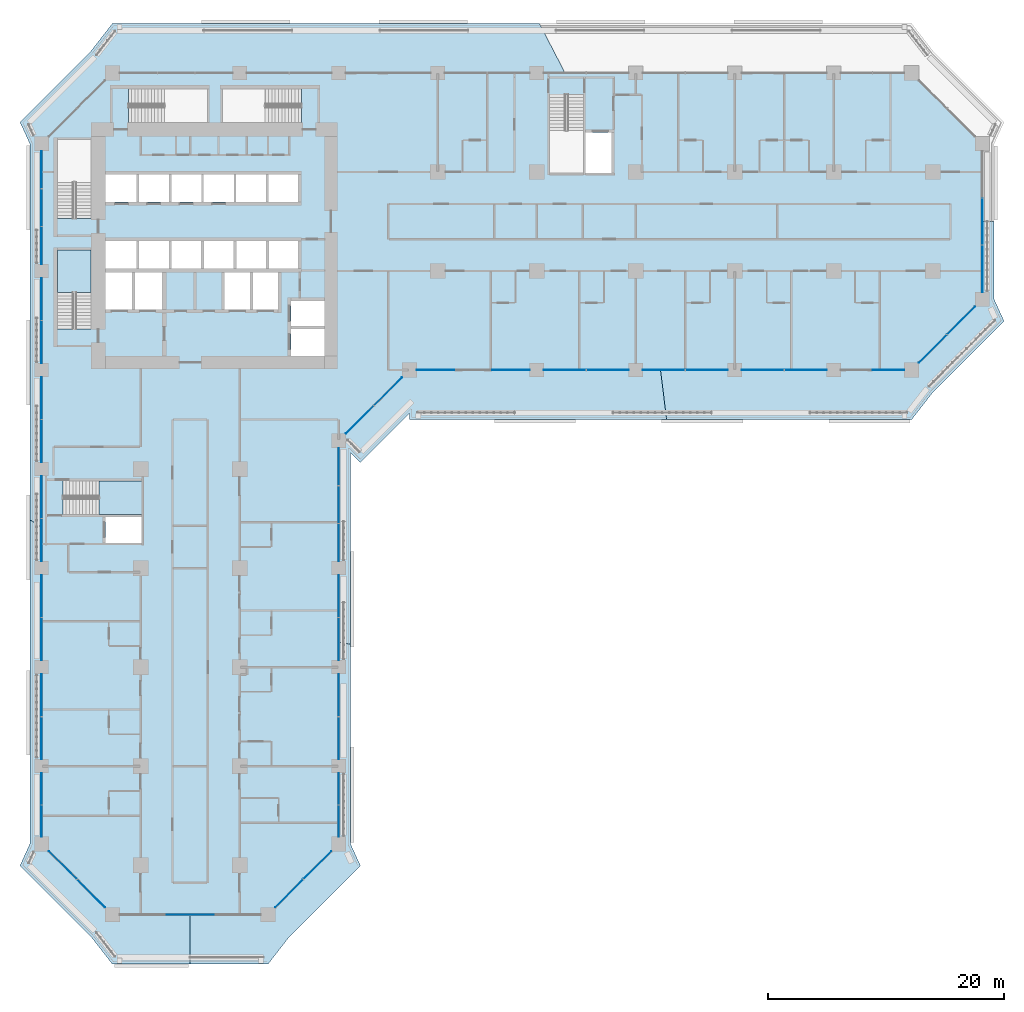
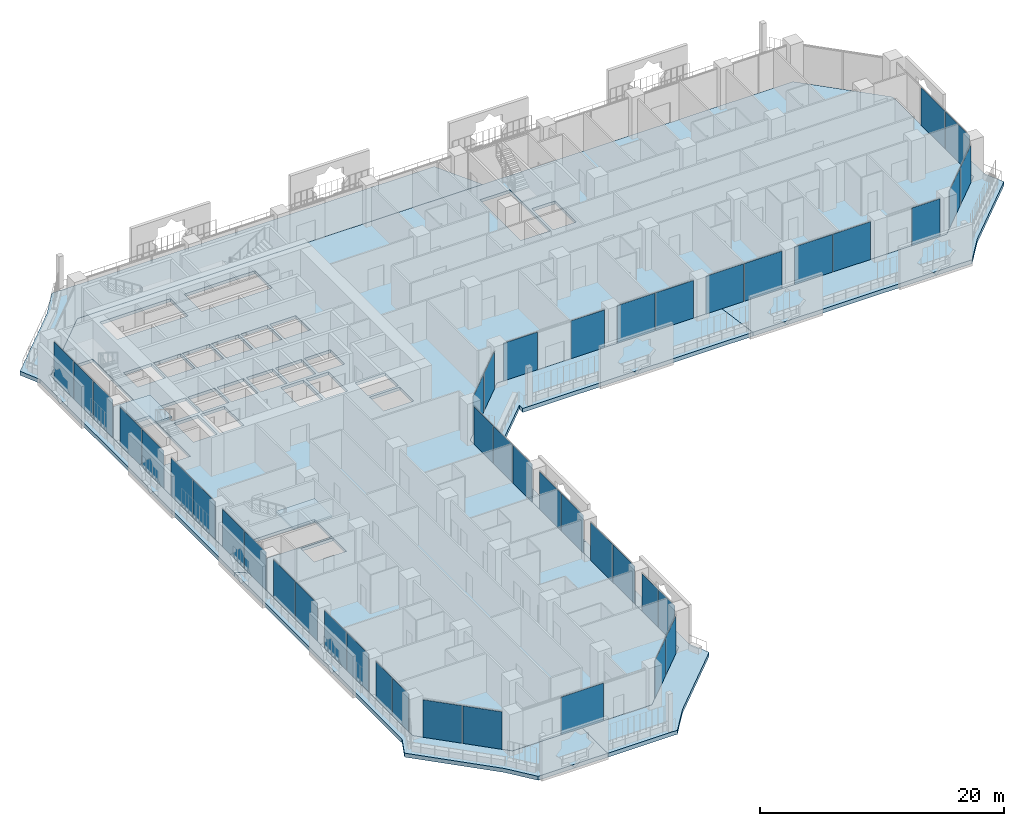
# One storey, part 11 of 28: 44 plates, 8 slabs, 11 elements without a shape of their own.
"""IFC4 building model written with IfcOpenShell, lengths in metres."""

import ifcopenshell
import ifcopenshell.guid

model = None  # the IFC model being written
_history = None  # IfcOwnerHistory: only IFC2X3 demands one
_inside = {}  # id of a spatial element -> (the spatial element, [elements in it])
_under = {}  # id of a project, library or spatial element -> (it, [spatial elements below it])
_declared = {}  # id of a project -> (the project, [libraries it declares])
_typed = {}  # id of a type object -> (the type object, [elements of that type])
_made_of = {}  # id of a material, layer set ... -> (it, [elements and type objects made of it])


def new_model(schema):
    """Start an empty IFC model of exactly this schema.

    Asked for "IFC4X3", IfcOpenShell would pick the latest addendum, in which some entities
    have other attributes; the version numbers below select the first issue.
    IFC2X3 requires an IfcOwnerHistory on every rooted entity: one is made here for all.
    """
    global model, _history
    if schema == "IFC4X3":
        model = ifcopenshell.file(schema_version=(4, 3, 0, 0))
    else:
        model = ifcopenshell.file(schema=schema)
    _inside.clear()
    _under.clear()
    _declared.clear()
    _typed.clear()
    _made_of.clear()
    _history = None
    if model.schema == "IFC2X3":
        org = make("IfcOrganization", Name="unknown")
        user = make(
            "IfcPersonAndOrganization",
            ThePerson=make("IfcPerson", FamilyName="unknown"),
            TheOrganization=org,
        )
        app = make(
            "IfcApplication",
            ApplicationDeveloper=org,
            Version="unknown",
            ApplicationFullName="unknown",
            ApplicationIdentifier="unknown",
        )
        _history = make(
            "IfcOwnerHistory",
            OwningUser=user,
            OwningApplication=app,
            ChangeAction="ADDED",
            CreationDate=0,
        )
    return model


def make(cls, **values):
    """One entity of the class cls with the attributes given. An attribute that is None is left unset."""
    return model.create_entity(
        cls, **{name: value for name, value in values.items() if value is not None}
    )


def rooted(cls, **values):
    """An entity with a GlobalId (a new one), such as an element, a storey or a relation."""
    return make(cls, GlobalId=ifcopenshell.guid.new(), OwnerHistory=_history, **values)


def si_unit(unit_type, name, prefix=None):
    """IfcSIUnit, for example si_unit("LENGTHUNIT", "METRE", prefix="MILLI")."""
    return make("IfcSIUnit", UnitType=unit_type, Prefix=prefix, Name=name)


def assignment(units):
    """IfcUnitAssignment: the units of a project."""
    return None if units is None else make("IfcUnitAssignment", Units=units)


def point(xyz):
    """IfcCartesianPoint."""
    return None if xyz is None else make("IfcCartesianPoint", Coordinates=xyz)


def direction(xyz):
    """IfcDirection."""
    return None if xyz is None else make("IfcDirection", DirectionRatios=xyz)


def frame(location, z_axis=None, x_axis=None):
    """IfcAxis2Placement3D, a coordinate frame: its origin and axes. An axis left out is left unset."""
    return make(
        "IfcAxis2Placement3D",
        Location=point(location),
        Axis=direction(z_axis),
        RefDirection=direction(x_axis),
    )


def frame_2d(location, x_axis=None):
    """IfcAxis2Placement2D, a coordinate frame in the plane: its origin and x axis."""
    return make(
        "IfcAxis2Placement2D", Location=point(location), RefDirection=direction(x_axis)
    )


def origin():
    """The frame at (0, 0, 0) with its axes left unset."""
    return frame((0.0, 0.0, 0.0))


def origin_2d():
    """The frame at (0, 0) in the plane with its x axis left unset."""
    return frame_2d((0.0, 0.0))


def place(relative_to, where):
    """IfcLocalPlacement: puts the frame where relative to a parent placement (None: the world)."""
    return make(
        "IfcLocalPlacement", PlacementRelTo=relative_to, RelativePlacement=where
    )


def context(
    kind, dimensions, precision=None, world=None, true_north=None, identifier=None
):
    """IfcGeometricRepresentationContext, for example the 3D "Model" context."""
    return make(
        "IfcGeometricRepresentationContext",
        ContextIdentifier=identifier,
        ContextType=kind,
        CoordinateSpaceDimension=dimensions,
        Precision=precision,
        WorldCoordinateSystem=world,
        TrueNorth=true_north,
    )


def subcontext(parent, identifier, kind, view, scale=None):
    """IfcGeometricRepresentationSubContext, for example "Body" below "Model"."""
    return make(
        "IfcGeometricRepresentationSubContext",
        ContextIdentifier=identifier,
        ContextType=kind,
        ParentContext=parent,
        TargetScale=scale,
        TargetView=view,
    )


def project(units=None, contexts=None):
    """IfcProject with its units and contexts."""
    return rooted(
        "IfcProject",
        Name="project",
        RepresentationContexts=contexts,
        UnitsInContext=assignment(units),
    )


def spatial(cls, under=None, at=None, **own):
    """A site, building, storey or space (cls), placed at a placement, below another one or the project."""
    s = rooted(cls, ObjectPlacement=at, **own)
    if under is not None:
        _under.setdefault(under.id(), (under, []))[1].append(s)
    return s


def polyline(points):
    """IfcPolyline through the points."""
    return make("IfcPolyline", Points=[point(p) for p in points])


def profile(cls, at=None, kind="AREA", **sizes):
    """A parametric profile (cls). Its sizes go by their IFC names, for example OverallWidth=200.0."""
    return make(cls, ProfileType=kind, Position=at, **sizes)


def rectangle(**sizes):
    """IfcRectangleProfileDef."""
    return profile("IfcRectangleProfileDef", **sizes)


def outline(outer, holes=None, kind="AREA"):
    """IfcArbitraryClosedProfileDef: a profile drawn as a closed curve; with holes, ...WithVoids."""
    if holes is None:
        return make("IfcArbitraryClosedProfileDef", ProfileType=kind, OuterCurve=outer)
    return make(
        "IfcArbitraryProfileDefWithVoids",
        ProfileType=kind,
        OuterCurve=outer,
        InnerCurves=holes,
    )


def extrude(swept, where, along, depth):
    """IfcExtrudedAreaSolid: the profile swept, set in the frame where, extruded along a direction by depth."""
    return make(
        "IfcExtrudedAreaSolid",
        SweptArea=swept,
        Position=where,
        ExtrudedDirection=direction(along),
        Depth=depth,
    )


def shape(context_of_items, identifier, shape_type, items):
    """IfcShapeRepresentation: the items that make up one representation, for example the "Body"."""
    return make(
        "IfcShapeRepresentation",
        ContextOfItems=context_of_items,
        RepresentationIdentifier=identifier,
        RepresentationType=shape_type,
        Items=items,
    )


def material(Name=None, Category=None):
    """IfcMaterial."""
    return make("IfcMaterial", Name=Name, Category=Category)


def layer(
    of_material, thickness, ventilated=None, Name=None, Category=None, Priority=None
):
    """IfcMaterialLayer: one layer of a wall or slab, of a material (None: an air gap)."""
    return make(
        "IfcMaterialLayer",
        Material=of_material,
        LayerThickness=thickness,
        IsVentilated=ventilated,
        Name=Name,
        Category=Category,
        Priority=Priority,
    )


def layer_set(layers, Name=None):
    """IfcMaterialLayerSet."""
    return make("IfcMaterialLayerSet", MaterialLayers=layers, LayerSetName=Name)


def made_of(thing, what):
    """Note that an element or type object is made of a material, layer set ...; save() writes the relation."""
    if what is not None:
        _made_of.setdefault(what.id(), (what, []))[1].append(thing)
    return thing


def type_object(cls, material=None, **own):
    """A type object (cls), such as IfcWallType, which elements share."""
    return made_of(rooted(cls, **own), material)


def element(
    cls,
    number,
    at=None,
    inside=None,
    cuts=None,
    type_object=None,
    material=None,
    context=None,
    identifier="Body",
    shape_type=None,
    held_by="IfcProductDefinitionShape",
    body=None,
    shapes=None,
    **own,
):
    """One element of the class cls, such as IfcWall. Its Tag is "e" and its number.

    at: its placement. inside: the storey or other place that contains it. cuts: it is an
    opening in that element (IfcRelVoidsElement). A single representation is given by context,
    identifier, shape_type and body (its items); several are given by shapes. held_by: the class
    of the entity that holds the representations. save() writes the other relations.
    """
    e = rooted(cls, Tag="e%d" % number, ObjectPlacement=at, **own)
    if body is not None:
        shapes = [shape(context, identifier, shape_type, body)]
    if shapes is not None:
        e.Representation = make(held_by, Representations=shapes)
    if inside is not None:
        _inside.setdefault(inside.id(), (inside, []))[1].append(e)
    if cuts is not None:
        rooted(
            "IfcRelVoidsElement", RelatingBuildingElement=cuts, RelatedOpeningElement=e
        )
    if type_object is not None:
        _typed.setdefault(type_object.id(), (type_object, []))[1].append(e)
    return made_of(e, material)


def aggregate(whole, parts):
    """IfcRelAggregates: a whole, such as a stair, and the parts it consists of."""
    return rooted("IfcRelAggregates", RelatingObject=whole, RelatedObjects=parts)


def save(model, path):
    """Write the relations noted so far, then the file.

    IfcRelAggregates (storeys below a building ...), IfcRelContainedInSpatialStructure (elements
    in a storey), IfcRelDefinesByType, IfcRelAssociatesMaterial and IfcRelDeclares: one each for
    every whole, place, type object, material and project.
    """
    for whole, parts in _under.values():
        aggregate(whole, parts)
    for where, things in _inside.values():
        rooted(
            "IfcRelContainedInSpatialStructure",
            RelatedElements=things,
            RelatingStructure=where,
        )
    for kind, things in _typed.values():
        rooted("IfcRelDefinesByType", RelatedObjects=things, RelatingType=kind)
    for what, things in _made_of.values():
        rooted("IfcRelAssociatesMaterial", RelatedObjects=things, RelatingMaterial=what)
    for by, libraries in _declared.values():
        rooted("IfcRelDeclares", RelatingContext=by, RelatedDefinitions=libraries)
    model.write(path)


model = new_model("IFC4")

# Units and contexts
model_context = context("Model", 3, precision=1e-05, world=origin(), true_north=direction((0.0, 1.0)))
body_context = subcontext(model_context, "Body", "Model", "MODEL_VIEW")
ifc_project = project(units=[si_unit("LENGTHUNIT", "METRE"), si_unit("AREAUNIT", "SQUARE_METRE"), si_unit("VOLUMEUNIT", "CUBIC_METRE"), si_unit("PLANEANGLEUNIT", "RADIAN"), si_unit("MASSUNIT", "GRAM", prefix="KILO")], contexts=[model_context])

# Site, building, storey
site_placement = place(None, origin())
site = spatial("IfcSite", under=ifc_project, at=site_placement, CompositionType="ELEMENT")
building_placement = place(site_placement, origin())
building = spatial("IfcBuilding", under=site, at=building_placement, Name="Kawkab Arch Medical Tower", CompositionType="ELEMENT")
storey_placement = place(building_placement, frame((0.0, 0.0, 68.60009765625)))
storey = spatial("IfcBuildingStorey", under=building, at=storey_placement, Name="L15", CompositionType="ELEMENT", Elevation=68.60009765625)

# Curtain wall, plates
ifc_material_1 = material(Name="Bronze anodised aluminium curtain wall frame", Category="aluminium")
ifc_layer_1 = layer(ifc_material_1, 0.159912109375)
ifc_layer_set_1 = layer_set([ifc_layer_1], Name="Bronze anodised aluminium curtain wall frame")
curtain_wall_type_1 = type_object("IfcCurtainWallType", Name="CW1 ward curtain wall", PredefinedType="NOTDEFINED", material=ifc_layer_set_1)
placement_1 = place(storey_placement, origin())
curtain_wall_1 = element("IfcCurtainWall", 1, at=placement_1, inside=storey, type_object=curtain_wall_type_1, Name="CW1 Ward curtain wall R01", PredefinedType="NOTDEFINED")
ifc_material_2 = material(Name="Tinted insulating glass, bronze low-e coating", Category="glass")
ifc_layer_2 = layer(ifc_material_2, 0.031982421875)
ifc_layer_set_2 = layer_set([ifc_layer_2], Name="Tinted insulating glass, bronze low-e coating")
plate_type_1 = type_object("IfcPlateType", Name="CW1 glazing unit 32", PredefinedType="CURTAIN_PANEL", material=ifc_layer_set_2)
plate_1_placement = place(storey_placement, frame((0.0, -8.205810546875, 0.0), z_axis=(0.0, 0.0, 1.0), x_axis=(0.0, -1.0, 0.0)))
plate_1 = element("IfcPlate", 2, at=plate_1_placement, type_object=plate_type_1, Name="CW1 glazing unit 1.1", PredefinedType="CURTAIN_PANEL", context=body_context, shape_type="SweptSolid", body=[
    extrude(rectangle(XDim=3.16162109375, YDim=0.031982421875, at=origin_2d()), origin(), (0.0, 0.0, 1.0), 3.780029296875),
])
plate_2_placement = place(storey_placement, frame((0.0, -11.41259765625, 0.0), z_axis=(0.0, 0.0, 1.0), x_axis=(0.0, -1.0, 0.0)))
plate_2 = element("IfcPlate", 3, at=plate_2_placement, type_object=plate_type_1, Name="CW1 glazing unit 1.2", PredefinedType="CURTAIN_PANEL", context=body_context, shape_type="SweptSolid", body=[
    extrude(rectangle(XDim=3.131591796875, YDim=0.031982421875, at=origin_2d()), origin(), (0.0, 0.0, 1.0), 3.780029296875),
])
plate_3_placement = place(storey_placement, frame((0.0, -14.619140625, 0.0), z_axis=(0.0, 0.0, 1.0), x_axis=(0.0, -1.0, 0.0)))
plate_3 = element("IfcPlate", 4, at=plate_3_placement, type_object=plate_type_1, Name="CW1 glazing unit 1.3", PredefinedType="CURTAIN_PANEL", context=body_context, shape_type="SweptSolid", body=[
    extrude(rectangle(XDim=3.16162109375, YDim=0.031982421875, at=origin_2d()), origin(), (0.0, 0.0, 1.0), 3.780029296875),
])
plate_4_placement = place(storey_placement, frame((0.0, -19.18505859375, 0.0), z_axis=(0.0, 0.0, 1.0), x_axis=(0.0, -1.0, 0.0)))
plate_4 = element("IfcPlate", 5, at=plate_4_placement, type_object=plate_type_1, Name="CW1 glazing unit 2.1", PredefinedType="CURTAIN_PANEL", context=body_context, shape_type="SweptSolid", body=[
    extrude(rectangle(XDim=3.570068359375, YDim=0.031982421875, at=origin_2d()), origin(), (0.0, 0.0, 1.0), 3.780029296875),
])
plate_5_placement = place(storey_placement, frame((0.0, -22.81494140625, 0.0), z_axis=(0.0, 0.0, 1.0), x_axis=(0.0, -1.0, 0.0)))
plate_5 = element("IfcPlate", 6, at=plate_5_placement, type_object=plate_type_1, Name="CW1 glazing unit 2.2", PredefinedType="CURTAIN_PANEL", context=body_context, shape_type="SweptSolid", body=[
    extrude(rectangle(XDim=3.570068359375, YDim=0.031982421875, at=origin_2d()), origin(), (0.0, 0.0, 1.0), 3.780029296875),
])
plate_6_placement = place(storey_placement, frame((0.0, -27.5849609375, 0.0), z_axis=(0.0, 0.0, 1.0), x_axis=(0.0, -1.0, 0.0)))
plate_6 = element("IfcPlate", 7, at=plate_6_placement, type_object=plate_type_1, Name="CW1 glazing unit 3.1", PredefinedType="CURTAIN_PANEL", context=body_context, shape_type="SweptSolid", body=[
    extrude(rectangle(XDim=3.570068359375, YDim=0.031982421875, at=origin_2d()), origin(), (0.0, 0.0, 1.0), 3.780029296875),
])
plate_7_placement = place(storey_placement, frame((0.0, -31.215087890625, 0.0), z_axis=(0.0, 0.0, 1.0), x_axis=(0.0, -1.0, 0.0)))
plate_7 = element("IfcPlate", 8, at=plate_7_placement, type_object=plate_type_1, Name="CW1 glazing unit 3.2", PredefinedType="CURTAIN_PANEL", context=body_context, shape_type="SweptSolid", body=[
    extrude(rectangle(XDim=3.570068359375, YDim=0.031982421875, at=origin_2d()), origin(), (0.0, 0.0, 1.0), 3.780029296875),
])
plate_8_placement = place(storey_placement, frame((0.0, -35.985107421875, 0.0), z_axis=(0.0, 0.0, 1.0), x_axis=(0.0, -1.0, 0.0)))
plate_8 = element("IfcPlate", 9, at=plate_8_placement, type_object=plate_type_1, Name="CW1 glazing unit 4.1", PredefinedType="CURTAIN_PANEL", context=body_context, shape_type="SweptSolid", body=[
    extrude(rectangle(XDim=3.570068359375, YDim=0.031982421875, at=origin_2d()), origin(), (0.0, 0.0, 1.0), 3.780029296875),
])
plate_9_placement = place(storey_placement, frame((0.0, -39.614990234375, 0.0), z_axis=(0.0, 0.0, 1.0), x_axis=(0.0, -1.0, 0.0)))
plate_9 = element("IfcPlate", 10, at=plate_9_placement, type_object=plate_type_1, Name="CW1 glazing unit 4.2", PredefinedType="CURTAIN_PANEL", context=body_context, shape_type="SweptSolid", body=[
    extrude(rectangle(XDim=3.570068359375, YDim=0.031982421875, at=origin_2d()), origin(), (0.0, 0.0, 1.0), 3.780029296875),
])
plate_10_placement = place(storey_placement, frame((0.0, -44.385009765625, 0.0), z_axis=(0.0, 0.0, 1.0), x_axis=(0.0, -1.0, 0.0)))
plate_10 = element("IfcPlate", 11, at=plate_10_placement, type_object=plate_type_1, Name="CW1 glazing unit 5.1", PredefinedType="CURTAIN_PANEL", context=body_context, shape_type="SweptSolid", body=[
    extrude(rectangle(XDim=3.570068359375, YDim=0.031982421875, at=origin_2d()), origin(), (0.0, 0.0, 1.0), 3.780029296875),
])
plate_11_placement = place(storey_placement, frame((0.0, -48.014892578125, 0.0), z_axis=(0.0, 0.0, 1.0), x_axis=(0.0, -1.0, 0.0)))
plate_11 = element("IfcPlate", 12, at=plate_11_placement, type_object=plate_type_1, Name="CW1 glazing unit 5.2", PredefinedType="CURTAIN_PANEL", context=body_context, shape_type="SweptSolid", body=[
    extrude(rectangle(XDim=3.570068359375, YDim=0.031982421875, at=origin_2d()), origin(), (0.0, 0.0, 1.0), 3.780029296875),
])
plate_12_placement = place(storey_placement, frame((0.0, -52.784912109375, 0.0), z_axis=(0.0, 0.0, 1.0), x_axis=(0.0, -1.0, 0.0)))
plate_12 = element("IfcPlate", 13, at=plate_12_placement, type_object=plate_type_1, Name="CW1 glazing unit 6.1", PredefinedType="CURTAIN_PANEL", context=body_context, shape_type="SweptSolid", body=[
    extrude(rectangle(XDim=3.570068359375, YDim=0.031982421875, at=origin_2d()), origin(), (0.0, 0.0, 1.0), 3.780029296875),
])
plate_13_placement = place(storey_placement, frame((0.0, -56.4150390625, 0.0), z_axis=(0.0, 0.0, 1.0), x_axis=(0.0, -1.0, 0.0)))
plate_13 = element("IfcPlate", 14, at=plate_13_placement, type_object=plate_type_1, Name="CW1 glazing unit 6.2", PredefinedType="CURTAIN_PANEL", context=body_context, shape_type="SweptSolid", body=[
    extrude(rectangle(XDim=3.570068359375, YDim=0.031982421875, at=origin_2d()), origin(), (0.0, 0.0, 1.0), 3.780029296875),
])
plate_14_placement = place(storey_placement, frame((0.0, -60.728759765625, 0.0), z_axis=(0.0, 0.0, 1.0), x_axis=(0.0, -1.0, 0.0)))
plate_14 = element("IfcPlate", 15, at=plate_14_placement, type_object=plate_type_1, Name="CW1 glazing unit 7.1", PredefinedType="CURTAIN_PANEL", context=body_context, shape_type="SweptSolid", body=[
    extrude(rectangle(XDim=2.657470703125, YDim=0.031982421875, at=origin_2d()), origin(), (0.0, 0.0, 1.0), 3.780029296875),
])
plate_15_placement = place(storey_placement, frame((0.0, -63.4462890625, 0.0), z_axis=(0.0, 0.0, 1.0), x_axis=(0.0, -1.0, 0.0)))
plate_15 = element("IfcPlate", 16, at=plate_15_placement, type_object=plate_type_1, Name="CW1 glazing unit 7.2", PredefinedType="CURTAIN_PANEL", context=body_context, shape_type="SweptSolid", body=[
    extrude(rectangle(XDim=2.657470703125, YDim=0.031982421875, at=origin_2d()), origin(), (0.0, 0.0, 1.0), 3.780029296875),
])
aggregate(curtain_wall_1, [plate_1, plate_2, plate_3, plate_4, plate_5, plate_6, plate_7, plate_8, plate_9, plate_10, plate_11, plate_12, plate_13, plate_14, plate_15])

# Curtain wall, plate
curtain_wall_2 = element("IfcCurtainWall", 17, at=placement_1, inside=storey, type_object=curtain_wall_type_1, Name="CW1 Ward curtain wall R03", PredefinedType="NOTDEFINED")
plate_16_placement = place(storey_placement, frame((12.60009765625, -71.39990234375, 0.0), z_axis=(0.0, 0.0, 1.0), x_axis=(1.0, 0.0, 0.0)))
plate_16 = element("IfcPlate", 18, at=plate_16_placement, type_object=plate_type_1, Name="CW1 glazing unit 1.2", PredefinedType="CURTAIN_PANEL", context=body_context, shape_type="SweptSolid", body=[
    extrude(rectangle(XDim=3.9833984375, YDim=0.031982421875, at=origin_2d()), origin(), (0.0, 0.0, 1.0), 3.780029296875),
])
aggregate(curtain_wall_2, [plate_16])

# Curtain wall, plates
curtain_wall_3 = element("IfcCurtainWall", 19, at=placement_1, inside=storey, type_object=curtain_wall_type_1, Name="CW1 Ward curtain wall R05", PredefinedType="NOTDEFINED")
plate_17_placement = place(storey_placement, frame((25.199951171875, -63.4462890625, 0.0), z_axis=(0.0, 0.0, 1.0), x_axis=(0.0, 1.0, 0.0)))
plate_17 = element("IfcPlate", 20, at=plate_17_placement, type_object=plate_type_1, Name="CW1 glazing unit 1.1", PredefinedType="CURTAIN_PANEL", context=body_context, shape_type="SweptSolid", body=[
    extrude(rectangle(XDim=2.657470703125, YDim=0.031982421875, at=origin_2d()), origin(), (0.0, 0.0, 1.0), 3.780029296875),
])
plate_18_placement = place(storey_placement, frame((25.199951171875, -60.728759765625, 0.0), z_axis=(0.0, 0.0, 1.0), x_axis=(0.0, 1.0, 0.0)))
plate_18 = element("IfcPlate", 21, at=plate_18_placement, type_object=plate_type_1, Name="CW1 glazing unit 1.2", PredefinedType="CURTAIN_PANEL", context=body_context, shape_type="SweptSolid", body=[
    extrude(rectangle(XDim=2.657470703125, YDim=0.031982421875, at=origin_2d()), origin(), (0.0, 0.0, 1.0), 3.780029296875),
])
plate_19_placement = place(storey_placement, frame((25.199951171875, -56.4150390625, 0.0), z_axis=(0.0, 0.0, 1.0), x_axis=(0.0, 1.0, 0.0)))
plate_19 = element("IfcPlate", 22, at=plate_19_placement, type_object=plate_type_1, Name="CW1 glazing unit 2.1", PredefinedType="CURTAIN_PANEL", context=body_context, shape_type="SweptSolid", body=[
    extrude(rectangle(XDim=3.570068359375, YDim=0.031982421875, at=origin_2d()), origin(), (0.0, 0.0, 1.0), 3.780029296875),
])
plate_20_placement = place(storey_placement, frame((25.199951171875, -52.784912109375, 0.0), z_axis=(0.0, 0.0, 1.0), x_axis=(0.0, 1.0, 0.0)))
plate_20 = element("IfcPlate", 23, at=plate_20_placement, type_object=plate_type_1, Name="CW1 glazing unit 2.2", PredefinedType="CURTAIN_PANEL", context=body_context, shape_type="SweptSolid", body=[
    extrude(rectangle(XDim=3.570068359375, YDim=0.031982421875, at=origin_2d()), origin(), (0.0, 0.0, 1.0), 3.780029296875),
])
plate_21_placement = place(storey_placement, frame((25.199951171875, -48.014892578125, 0.0), z_axis=(0.0, 0.0, 1.0), x_axis=(0.0, 1.0, 0.0)))
plate_21 = element("IfcPlate", 24, at=plate_21_placement, type_object=plate_type_1, Name="CW1 glazing unit 3.1", PredefinedType="CURTAIN_PANEL", context=body_context, shape_type="SweptSolid", body=[
    extrude(rectangle(XDim=3.570068359375, YDim=0.031982421875, at=origin_2d()), origin(), (0.0, 0.0, 1.0), 3.780029296875),
])
plate_22_placement = place(storey_placement, frame((25.199951171875, -44.385009765625, 0.0), z_axis=(0.0, 0.0, 1.0), x_axis=(0.0, 1.0, 0.0)))
plate_22 = element("IfcPlate", 25, at=plate_22_placement, type_object=plate_type_1, Name="CW1 glazing unit 3.2", PredefinedType="CURTAIN_PANEL", context=body_context, shape_type="SweptSolid", body=[
    extrude(rectangle(XDim=3.570068359375, YDim=0.031982421875, at=origin_2d()), origin(), (0.0, 0.0, 1.0), 3.780029296875),
])
plate_23_placement = place(storey_placement, frame((25.199951171875, -39.819091796875, 0.0), z_axis=(0.0, 0.0, 1.0), x_axis=(0.0, 1.0, 0.0)))
plate_23 = element("IfcPlate", 26, at=plate_23_placement, type_object=plate_type_1, Name="CW1 glazing unit 4.1", PredefinedType="CURTAIN_PANEL", context=body_context, shape_type="SweptSolid", body=[
    extrude(rectangle(XDim=3.16162109375, YDim=0.031982421875, at=origin_2d()), origin(), (0.0, 0.0, 1.0), 3.780029296875),
])
plate_24_placement = place(storey_placement, frame((25.199951171875, -36.612548828125, 0.0), z_axis=(0.0, 0.0, 1.0), x_axis=(0.0, 1.0, 0.0)))
plate_24 = element("IfcPlate", 27, at=plate_24_placement, type_object=plate_type_1, Name="CW1 glazing unit 4.2", PredefinedType="CURTAIN_PANEL", context=body_context, shape_type="SweptSolid", body=[
    extrude(rectangle(XDim=3.131591796875, YDim=0.031982421875, at=origin_2d()), origin(), (0.0, 0.0, 1.0), 3.780029296875),
])
plate_25_placement = place(storey_placement, frame((25.199951171875, -33.40576171875, 0.0), z_axis=(0.0, 0.0, 1.0), x_axis=(0.0, 1.0, 0.0)))
plate_25 = element("IfcPlate", 28, at=plate_25_placement, type_object=plate_type_1, Name="CW1 glazing unit 4.3", PredefinedType="CURTAIN_PANEL", context=body_context, shape_type="SweptSolid", body=[
    extrude(rectangle(XDim=3.16162109375, YDim=0.031982421875, at=origin_2d()), origin(), (0.0, 0.0, 1.0), 3.780029296875),
])
aggregate(curtain_wall_3, [plate_17, plate_18, plate_19, plate_20, plate_21, plate_22, plate_23, plate_24, plate_25])

curtain_wall_4 = element("IfcCurtainWall", 29, at=placement_1, inside=storey, type_object=curtain_wall_type_1, Name="CW1 Ward curtain wall R07", PredefinedType="NOTDEFINED")
plate_26_placement = place(storey_placement, frame((33.4208984375, -25.199951171875, 0.0), z_axis=(0.0, 0.0, 1.0), x_axis=(1.0, 0.0, 0.0)))
plate_26 = element("IfcPlate", 30, at=plate_26_placement, type_object=plate_type_1, Name="CW1 glazing unit 1.1", PredefinedType="CURTAIN_PANEL", context=body_context, shape_type="SweptSolid", body=[
    extrude(rectangle(XDim=3.191650390625, YDim=0.031982421875, at=origin_2d()), origin(), (0.0, 0.0, 1.0), 3.780029296875),
])
plate_27_placement = place(storey_placement, frame((39.80419921875, -25.199951171875, 0.0), z_axis=(0.0, 0.0, 1.0), x_axis=(1.0, 0.0, 0.0)))
plate_27 = element("IfcPlate", 31, at=plate_27_placement, type_object=plate_type_1, Name="CW1 glazing unit 1.3", PredefinedType="CURTAIN_PANEL", context=body_context, shape_type="SweptSolid", body=[
    extrude(rectangle(XDim=3.191650390625, YDim=0.031982421875, at=origin_2d()), origin(), (0.0, 0.0, 1.0), 3.780029296875),
])
plate_28_placement = place(storey_placement, frame((44.385009765625, -25.199951171875, 0.0), z_axis=(0.0, 0.0, 1.0), x_axis=(1.0, 0.0, 0.0)))
plate_28 = element("IfcPlate", 32, at=plate_28_placement, type_object=plate_type_1, Name="CW1 glazing unit 2.1", PredefinedType="CURTAIN_PANEL", context=body_context, shape_type="SweptSolid", body=[
    extrude(rectangle(XDim=3.570068359375, YDim=0.031982421875, at=origin_2d()), origin(), (0.0, 0.0, 1.0), 3.780029296875),
])
plate_29_placement = place(storey_placement, frame((48.014892578125, -25.199951171875, 0.0), z_axis=(0.0, 0.0, 1.0), x_axis=(1.0, 0.0, 0.0)))
plate_29 = element("IfcPlate", 33, at=plate_29_placement, type_object=plate_type_1, Name="CW1 glazing unit 2.2", PredefinedType="CURTAIN_PANEL", context=body_context, shape_type="SweptSolid", body=[
    extrude(rectangle(XDim=3.570068359375, YDim=0.031982421875, at=origin_2d()), origin(), (0.0, 0.0, 1.0), 3.780029296875),
])
plate_30_placement = place(storey_placement, frame((52.784912109375, -25.199951171875, 0.0), z_axis=(0.0, 0.0, 1.0), x_axis=(1.0, 0.0, 0.0)))
plate_30 = element("IfcPlate", 34, at=plate_30_placement, type_object=plate_type_1, Name="CW1 glazing unit 3.1", PredefinedType="CURTAIN_PANEL", context=body_context, shape_type="SweptSolid", body=[
    extrude(rectangle(XDim=3.570068359375, YDim=0.031982421875, at=origin_2d()), origin(), (0.0, 0.0, 1.0), 3.780029296875),
])
plate_31_placement = place(storey_placement, frame((56.4150390625, -25.199951171875, 0.0), z_axis=(0.0, 0.0, 1.0), x_axis=(1.0, 0.0, 0.0)))
plate_31 = element("IfcPlate", 35, at=plate_31_placement, type_object=plate_type_1, Name="CW1 glazing unit 3.2", PredefinedType="CURTAIN_PANEL", context=body_context, shape_type="SweptSolid", body=[
    extrude(rectangle(XDim=3.570068359375, YDim=0.031982421875, at=origin_2d()), origin(), (0.0, 0.0, 1.0), 3.780029296875),
])
plate_32_placement = place(storey_placement, frame((61.18505859375, -25.199951171875, 0.0), z_axis=(0.0, 0.0, 1.0), x_axis=(1.0, 0.0, 0.0)))
plate_32 = element("IfcPlate", 36, at=plate_32_placement, type_object=plate_type_1, Name="CW1 glazing unit 4.1", PredefinedType="CURTAIN_PANEL", context=body_context, shape_type="SweptSolid", body=[
    extrude(rectangle(XDim=3.570068359375, YDim=0.031982421875, at=origin_2d()), origin(), (0.0, 0.0, 1.0), 3.780029296875),
])
plate_33_placement = place(storey_placement, frame((64.81494140625, -25.199951171875, 0.0), z_axis=(0.0, 0.0, 1.0), x_axis=(1.0, 0.0, 0.0)))
plate_33 = element("IfcPlate", 37, at=plate_33_placement, type_object=plate_type_1, Name="CW1 glazing unit 4.2", PredefinedType="CURTAIN_PANEL", context=body_context, shape_type="SweptSolid", body=[
    extrude(rectangle(XDim=3.570068359375, YDim=0.031982421875, at=origin_2d()), origin(), (0.0, 0.0, 1.0), 3.780029296875),
])
plate_34_placement = place(storey_placement, frame((71.831298828125, -25.199951171875, 0.0), z_axis=(0.0, 0.0, 1.0), x_axis=(1.0, 0.0, 0.0)))
plate_34 = element("IfcPlate", 38, at=plate_34_placement, type_object=plate_type_1, Name="CW1 glazing unit 5.2", PredefinedType="CURTAIN_PANEL", context=body_context, shape_type="SweptSolid", body=[
    extrude(rectangle(XDim=2.6875, YDim=0.031982421875, at=origin_2d()), origin(), (0.0, 0.0, 1.0), 3.780029296875),
])
aggregate(curtain_wall_4, [plate_26, plate_27, plate_28, plate_29, plate_30, plate_31, plate_32, plate_33, plate_34])

curtain_wall_5 = element("IfcCurtainWall", 39, at=placement_1, inside=storey, type_object=curtain_wall_type_1, Name="CW1 Ward curtain wall R09", PredefinedType="NOTDEFINED")
plate_35_placement = place(storey_placement, frame((79.800048828125, -16.598388671875, 0.0), z_axis=(0.0, 0.0, 1.0), x_axis=(0.0, 1.0, 0.0)))
plate_35 = element("IfcPlate", 40, at=plate_35_placement, type_object=plate_type_1, Name="CW1 glazing unit 1.1", PredefinedType="CURTAIN_PANEL", context=body_context, shape_type="SweptSolid", body=[
    extrude(rectangle(XDim=3.953369140625, YDim=0.031982421875, at=origin_2d()), origin(), (0.0, 0.0, 1.0), 3.780029296875),
])
plate_36_placement = place(storey_placement, frame((79.800048828125, -12.60009765625, 0.0), z_axis=(0.0, 0.0, 1.0), x_axis=(0.0, 1.0, 0.0)))
plate_36 = element("IfcPlate", 41, at=plate_36_placement, type_object=plate_type_1, Name="CW1 glazing unit 1.2", PredefinedType="CURTAIN_PANEL", context=body_context, shape_type="SweptSolid", body=[
    extrude(rectangle(XDim=3.92333984375, YDim=0.031982421875, at=origin_2d()), origin(), (0.0, 0.0, 1.0), 3.780029296875),
])
aggregate(curtain_wall_5, [plate_35, plate_36])

ifc_material_3 = material(Name="Bronze anodised aluminium curtain wall frame", Category="aluminium")
ifc_layer_3 = layer(ifc_material_3, 0.159912109375)
ifc_layer_set_3 = layer_set([ifc_layer_3], Name="Bronze anodised aluminium curtain wall frame")
curtain_wall_type_2 = type_object("IfcCurtainWallType", Name="CW2 chamfer curtain wall", PredefinedType="NOTDEFINED", material=ifc_layer_set_3)
curtain_wall_6 = element("IfcCurtainWall", 42, at=placement_1, inside=storey, type_object=curtain_wall_type_2, Name="CW2 Chamfer curtain wall R02", PredefinedType="NOTDEFINED")
ifc_material_4 = material(Name="Tinted insulating glass, bronze low-e coating", Category="glass")
ifc_layer_4 = layer(ifc_material_4, 0.031982421875)
ifc_layer_set_4 = layer_set([ifc_layer_4], Name="Tinted insulating glass, bronze low-e coating")
plate_type_2 = type_object("IfcPlateType", Name="CW2 glazing unit 32", PredefinedType="CURTAIN_PANEL", material=ifc_layer_set_4)
plate_37_placement = place(storey_placement, frame((1.802001953125, -67.201904296875, 0.0), z_axis=(0.0, 0.0, 1.0), x_axis=(0.707106781187, -0.707106781187, 0.0)))
plate_37 = element("IfcPlate", 43, at=plate_37_placement, type_object=plate_type_2, Name="CW2 glazing unit 1.1", PredefinedType="CURTAIN_PANEL", context=body_context, shape_type="SweptSolid", body=[
    extrude(rectangle(XDim=3.328857421875, YDim=0.031982421875, at=origin_2d()), origin(), (0.0, 0.0, 1.0), 3.760009765625),
])
plate_38_placement = place(storey_placement, frame((4.197998046875, -69.59814453125, 0.0), z_axis=(0.0, 0.0, 1.0), x_axis=(0.707106781187, -0.707106781187, 0.0)))
plate_38 = element("IfcPlate", 44, at=plate_38_placement, type_object=plate_type_2, Name="CW2 glazing unit 1.2", PredefinedType="CURTAIN_PANEL", context=body_context, shape_type="SweptSolid", body=[
    extrude(rectangle(XDim=3.328857421875, YDim=0.031982421875, at=origin_2d()), origin(), (0.0, 0.0, 1.0), 3.760009765625),
])
aggregate(curtain_wall_6, [plate_37, plate_38])

curtain_wall_7 = element("IfcCurtainWall", 45, at=placement_1, inside=storey, type_object=curtain_wall_type_2, Name="CW2 Chamfer curtain wall R04", PredefinedType="NOTDEFINED")
plate_39_placement = place(storey_placement, frame((21.001953125, -69.59814453125, 0.0), z_axis=(0.0, 0.0, 1.0), x_axis=(0.707106781187, 0.707106781187, 0.0)))
plate_39 = element("IfcPlate", 46, at=plate_39_placement, type_object=plate_type_2, Name="CW2 glazing unit 1.1", PredefinedType="CURTAIN_PANEL", context=body_context, shape_type="SweptSolid", body=[
    extrude(rectangle(XDim=3.328857421875, YDim=0.031982421875, at=origin_2d()), origin(), (0.0, 0.0, 1.0), 3.760009765625),
])
plate_40_placement = place(storey_placement, frame((23.398193359375, -67.201904296875, 0.0), z_axis=(0.0, 0.0, 1.0), x_axis=(0.707106781187, 0.707106781187, 0.0)))
plate_40 = element("IfcPlate", 47, at=plate_40_placement, type_object=plate_type_2, Name="CW2 glazing unit 1.2", PredefinedType="CURTAIN_PANEL", context=body_context, shape_type="SweptSolid", body=[
    extrude(rectangle(XDim=3.328857421875, YDim=0.031982421875, at=origin_2d()), origin(), (0.0, 0.0, 1.0), 3.760009765625),
])
aggregate(curtain_wall_7, [plate_39, plate_40])

curtain_wall_8 = element("IfcCurtainWall", 48, at=placement_1, inside=storey, type_object=curtain_wall_type_2, Name="CW2 Chamfer curtain wall R06", PredefinedType="NOTDEFINED")
plate_41_placement = place(storey_placement, frame((27.001953125, -29.398193359375, 0.0), z_axis=(0.0, 0.0, 1.0), x_axis=(0.707106781187, 0.707106781187, 0.0)))
plate_41 = element("IfcPlate", 49, at=plate_41_placement, type_object=plate_type_2, Name="CW2 glazing unit 1.1", PredefinedType="CURTAIN_PANEL", context=body_context, shape_type="SweptSolid", body=[
    extrude(rectangle(XDim=3.328857421875, YDim=0.031982421875, at=origin_2d()), origin(), (0.0, 0.0, 1.0), 3.760009765625),
])
plate_42_placement = place(storey_placement, frame((29.398193359375, -27.001953125, 0.0), z_axis=(0.0, 0.0, 1.0), x_axis=(0.707106781187, 0.707106781187, 0.0)))
plate_42 = element("IfcPlate", 50, at=plate_42_placement, type_object=plate_type_2, Name="CW2 glazing unit 1.2", PredefinedType="CURTAIN_PANEL", context=body_context, shape_type="SweptSolid", body=[
    extrude(rectangle(XDim=3.328857421875, YDim=0.031982421875, at=origin_2d()), origin(), (0.0, 0.0, 1.0), 3.760009765625),
])
aggregate(curtain_wall_8, [plate_41, plate_42])

curtain_wall_9 = element("IfcCurtainWall", 51, at=placement_1, inside=storey, type_object=curtain_wall_type_2, Name="CW2 Chamfer curtain wall R08", PredefinedType="NOTDEFINED")
plate_43_placement = place(storey_placement, frame((75.601806640625, -23.398193359375, 0.0), z_axis=(0.0, 0.0, 1.0), x_axis=(0.707106781187, 0.707106781187, 0.0)))
plate_43 = element("IfcPlate", 52, at=plate_43_placement, type_object=plate_type_2, Name="CW2 glazing unit 1.1", PredefinedType="CURTAIN_PANEL", context=body_context, shape_type="SweptSolid", body=[
    extrude(rectangle(XDim=3.328857421875, YDim=0.031982421875, at=origin_2d()), origin(), (0.0, 0.0, 1.0), 3.760009765625),
])
plate_44_placement = place(storey_placement, frame((77.998046875, -21.001953125, 0.0), z_axis=(0.0, 0.0, 1.0), x_axis=(0.707106781187, 0.707106781187, 0.0)))
plate_44 = element("IfcPlate", 53, at=plate_44_placement, type_object=plate_type_2, Name="CW2 glazing unit 1.2", PredefinedType="CURTAIN_PANEL", context=body_context, shape_type="SweptSolid", body=[
    extrude(rectangle(XDim=3.328857421875, YDim=0.031982421875, at=origin_2d()), origin(), (0.0, 0.0, 1.0), 3.760009765625),
])
aggregate(curtain_wall_9, [plate_43, plate_44])

# Stair, slab
ifc_material_5 = material(Name="Concrete C40/50", Category="concrete")
stair_type = type_object("IfcStairType", Name="Exit stair 1350", PredefinedType="HALF_TURN_STAIR", material=ifc_material_5)
stair_1 = element("IfcStair", 54, at=placement_1, inside=storey, type_object=stair_type, Name="L15 Exit stair ST2", PredefinedType="HALF_TURN_STAIR")
ifc_material_6 = material(Name="Concrete C40/50", Category="concrete")
ifc_layer_5 = layer(ifc_material_6, 0.199951171875)
ifc_layer_set_5 = layer_set([ifc_layer_5], Name="Concrete C40/50")
slab_type_1 = type_object("IfcSlabType", Name="Exit stair landing 200", PredefinedType="LANDING", material=ifc_layer_set_5)
placement_2 = place(storey_placement, frame((0.0, 0.0, 1.89990234375)))
slab_1 = element("IfcSlab", 55, at=placement_2, type_object=slab_type_1, Name="ST2 landing 1", PredefinedType="LANDING", context=body_context, shape_type="SweptSolid", body=[
    extrude(outline(polyline([(4.199951171875, -18.6201171875), (4.199951171875, -15.0), (1.35009765625, -15.0), (1.35009765625, -18.6201171875), (4.199951171875, -18.6201171875)])), origin(), (0.0, 0.0, 1.0), 0.199951171875),
])
aggregate(stair_1, [slab_1])

stair_2 = element("IfcStair", 56, at=placement_1, inside=storey, type_object=stair_type, Name="L15 Exit stair ST6", PredefinedType="HALF_TURN_STAIR")
slab_2 = element("IfcSlab", 57, at=placement_2, type_object=slab_type_1, Name="ST6 landing 1", PredefinedType="LANDING", context=body_context, shape_type="SweptSolid", body=[
    extrude(outline(polyline([(4.8798828125, -37.449951171875), (8.5, -37.449951171875), (8.5, -34.60009765625), (4.8798828125, -34.60009765625), (4.8798828125, -37.449951171875)])), origin(), (0.0, 0.0, 1.0), 0.199951171875),
])
aggregate(stair_2, [slab_2])

# Slabs
ifc_material_7 = material(Name="Concrete C40/50", Category="concrete")
ifc_layer_6 = layer(ifc_material_7, 0.300048828125)
ifc_layer_set_6 = layer_set([ifc_layer_6], Name="Concrete C40/50")
slab_type_2 = type_object("IfcSlabType", Name="Flat plate 300 C40/50", PredefinedType="FLOOR", material=ifc_layer_set_6)
slab_3_placement = place(storey_placement, frame((0.0, 0.0, -0.300048828125)))
element("IfcSlab", 58, at=slab_3_placement, inside=storey, type_object=slab_type_2, Name="Floor slab L15", PredefinedType="FLOOR", context=body_context, shape_type="SweptSolid", body=[
    extrude(outline(polyline([(6.0, 0.0), (73.800048828125, 0.0), (79.800048828125, -6.0), (79.800048828125, -19.199951171875), (73.800048828125, -25.199951171875), (31.199951171875, -25.199951171875), (25.199951171875, -31.199951171875), (25.199951171875, -65.39990234375), (19.199951171875, -71.39990234375), (6.0, -71.39990234375), (0.0, -65.39990234375), (0.0, -6.0), (6.0, 0.0)]), holes=[polyline([(5.425048828125, -37.64990234375), (5.425048828125, -39.85009765625), (8.5, -39.85009765625), (8.5, -37.64990234375), (5.425048828125, -37.64990234375)]), polyline([(1.800048828125, -37.449951171875), (8.5, -37.449951171875), (8.5, -34.60009765625), (1.800048828125, -34.60009765625), (1.800048828125, -37.449951171875)]), polyline([(5.39990234375, -16.89990234375), (5.39990234375, -20.050048828125), (7.675048828125, -20.050048828125), (7.675048828125, -16.89990234375), (5.39990234375, -16.89990234375)]), polyline([(10.199951171875, -16.89990234375), (7.925048828125, -16.89990234375), (7.925048828125, -20.050048828125), (10.199951171875, -20.050048828125), (10.199951171875, -16.89990234375)]), polyline([(4.199951171875, -21.699951171875), (4.199951171875, -15.0), (1.35009765625, -15.0), (1.35009765625, -21.699951171875), (4.199951171875, -21.699951171875)]), polyline([(5.39990234375, -14.25), (5.39990234375, -16.60009765625), (8.050048828125, -16.60009765625), (8.050048828125, -14.25), (5.39990234375, -14.25)]), polyline([(8.25, -14.25), (8.25, -16.60009765625), (10.800048828125, -16.60009765625), (10.800048828125, -14.25), (8.25, -14.25)]), polyline([(13.52490234375, -16.60009765625), (13.52490234375, -14.25), (11.0, -14.25), (11.0, -16.60009765625), (13.52490234375, -16.60009765625)]), polyline([(5.39990234375, -8.60009765625), (5.39990234375, -10.949951171875), (8.050048828125, -10.949951171875), (8.050048828125, -8.60009765625), (5.39990234375, -8.60009765625)]), polyline([(8.25, -8.60009765625), (8.25, -10.949951171875), (10.800048828125, -10.949951171875), (10.800048828125, -8.60009765625), (8.25, -8.60009765625)]), polyline([(13.550048828125, -8.60009765625), (11.0, -8.60009765625), (11.0, -10.949951171875), (13.550048828125, -10.949951171875), (13.550048828125, -8.60009765625)]), polyline([(4.199951171875, -12.35009765625), (4.199951171875, -5.64990234375), (1.35009765625, -5.64990234375), (1.35009765625, -12.35009765625), (4.199951171875, -12.35009765625)]), polyline([(7.35009765625, -4.199951171875), (14.050048828125, -4.199951171875), (14.050048828125, -1.35009765625), (7.35009765625, -1.35009765625), (7.35009765625, -4.199951171875)]), polyline([(24.0, -21.72509765625), (21.14990234375, -21.72509765625), (21.14990234375, -24.0), (24.0, -24.0), (24.0, -21.72509765625)]), polyline([(24.0, -21.47509765625), (24.0, -19.35009765625), (21.14990234375, -19.35009765625), (21.14990234375, -21.47509765625), (24.0, -21.47509765625)]), polyline([(17.675048828125, -16.89990234375), (15.52490234375, -16.89990234375), (15.52490234375, -20.050048828125), (17.675048828125, -20.050048828125), (17.675048828125, -16.89990234375)]), polyline([(17.925048828125, -20.050048828125), (20.050048828125, -20.050048828125), (20.050048828125, -16.89990234375), (17.925048828125, -16.89990234375), (17.925048828125, -20.050048828125)]), polyline([(16.27490234375, -16.60009765625), (16.27490234375, -14.25), (13.77490234375, -14.25), (13.77490234375, -16.60009765625), (16.27490234375, -16.60009765625)]), polyline([(16.52490234375, -14.25), (16.52490234375, -16.60009765625), (19.02490234375, -16.60009765625), (19.02490234375, -14.25), (16.52490234375, -14.25)]), polyline([(19.27490234375, -14.25), (19.27490234375, -16.60009765625), (21.75, -16.60009765625), (21.75, -14.25), (19.27490234375, -14.25)]), polyline([(16.300048828125, -8.60009765625), (13.75, -8.60009765625), (13.75, -10.949951171875), (16.300048828125, -10.949951171875), (16.300048828125, -8.60009765625)]), polyline([(16.5, -10.949951171875), (19.050048828125, -10.949951171875), (19.050048828125, -8.60009765625), (16.5, -8.60009765625), (16.5, -10.949951171875)]), polyline([(19.25, -8.60009765625), (19.25, -10.949951171875), (21.75, -10.949951171875), (21.75, -8.60009765625), (19.25, -8.60009765625)]), polyline([(46.14990234375, -5.02490234375), (46.14990234375, -8.5), (48.35009765625, -8.5), (48.35009765625, -5.02490234375), (46.14990234375, -5.02490234375)]), polyline([(43.10009765625, -1.800048828125), (43.10009765625, -8.5), (45.949951171875, -8.5), (45.949951171875, -1.800048828125), (43.10009765625, -1.800048828125)]), polyline([(22.050048828125, -1.35009765625), (15.35009765625, -1.35009765625), (15.35009765625, -4.199951171875), (22.050048828125, -4.199951171875), (22.050048828125, -1.35009765625)])]), origin(), (0.0, 0.0, 1.0), 0.300048828125),
])
ifc_material_8 = material(Name="Concrete C40/50", Category="concrete")
ifc_layer_7 = layer(ifc_material_8, 0.39990234375)
ifc_layer_set_7 = layer_set([ifc_layer_7], Name="Concrete C40/50")
slab_type_3 = type_object("IfcSlabType", Name="Loggia slab 400", PredefinedType="FLOOR", material=ifc_layer_set_7)
placement_3 = place(storey_placement, frame((0.0, 0.0, -0.400146484375)))
element("IfcSlab", 59, at=placement_3, inside=storey, type_object=slab_type_3, Name="Loggia slab L15.1", PredefinedType="FLOOR", context=body_context, shape_type="SweptSolid", body=[
    extrude(outline(polyline([(12.60009765625, -75.60009765625), (12.60009765625, -71.40087890625), (19.199951171875, -71.40087890625), (19.199951171875, -71.39990234375), (25.199951171875, -65.39990234375), (25.199951171875, -48.300048828125), (26.199951171875, -48.449951171875), (26.199951171875, -65.39990234375), (27.0380859375, -67.238037109375), (21.0380859375, -73.238037109375), (19.199951171875, -75.60009765625), (12.60009765625, -75.60009765625)])), origin(), (0.0, 0.0, 1.0), 0.400146484375),
])
element("IfcSlab", 60, at=placement_3, inside=storey, type_object=slab_type_3, Name="Loggia slab L15.2", PredefinedType="FLOOR", context=body_context, shape_type="SweptSolid", body=[
    extrude(outline(polyline([(4.162109375, -73.238037109375), (-1.837890625, -67.238037109375), (-1.0, -65.39990234375), (-1.0, -37.89501953125), (-0.0009765625, -38.52001953125), (-0.0009765625, -65.39990234375), (0.0, -65.39990234375), (6.0, -71.39990234375), (6.0, -71.40087890625), (12.60009765625, -71.40087890625), (12.60009765625, -75.60009765625), (6.0, -75.60009765625), (4.162109375, -73.238037109375)])), origin(), (0.0, 0.0, 1.0), 0.400146484375),
])
element("IfcSlab", 61, at=placement_3, inside=storey, type_object=slab_type_3, Name="Loggia slab L15.3", PredefinedType="FLOOR", context=body_context, shape_type="SweptSolid", body=[
    extrude(outline(polyline([(31.199951171875, -28.8759765625), (27.0380859375, -33.037109375), (26.199951171875, -32.198974609375), (26.199951171875, -48.448974609375), (25.199951171875, -48.300048828125), (25.199951171875, -31.199951171875), (31.199951171875, -25.199951171875), (52.5, -25.199951171875), (53.01806640625, -29.39990234375), (31.199951171875, -29.39990234375), (31.199951171875, -28.8759765625)])), origin(), (0.0, 0.0, 1.0), 0.400146484375),
])
element("IfcSlab", 62, at=placement_3, inside=storey, type_object=slab_type_3, Name="Loggia slab L15.4", PredefinedType="FLOOR", context=body_context, shape_type="SweptSolid", body=[
    extrude(outline(polyline([(81.637939453125, -21.0380859375), (75.637939453125, -27.0380859375), (73.800048828125, -29.39990234375), (53.01904296875, -29.39990234375), (52.5, -25.199951171875), (73.800048828125, -25.199951171875), (79.800048828125, -19.199951171875), (79.800048828125, -12.60009765625), (80.800048828125, -12.60009765625), (80.800048828125, -19.199951171875), (81.637939453125, -21.0380859375)])), origin(), (0.0, 0.0, 1.0), 0.400146484375),
])
element("IfcSlab", 63, at=placement_3, inside=storey, type_object=slab_type_3, Name="Loggia slab L15.5", PredefinedType="FLOOR", context=body_context, shape_type="SweptSolid", body=[
    extrude(outline(polyline([(4.162109375, 1.837890625), (6.0, 4.199951171875), (35.39990234375, 4.199951171875), (42.23291015625, 4.199951171875), (44.409912109375, 0.0009765625), (31.200927734375, 0.0009765625), (6.0, 0.0009765625), (6.0, 0.0), (0.0, -6.0), (-0.0009765625, -6.0), (-0.0009765625, -38.52001953125), (-1.0, -37.89404296875), (-1.0, -6.0), (-1.837890625, -4.162109375), (4.162109375, 1.837890625)])), origin(), (0.0, 0.0, 1.0), 0.400146484375),
])

save(model, "model.ifc")
